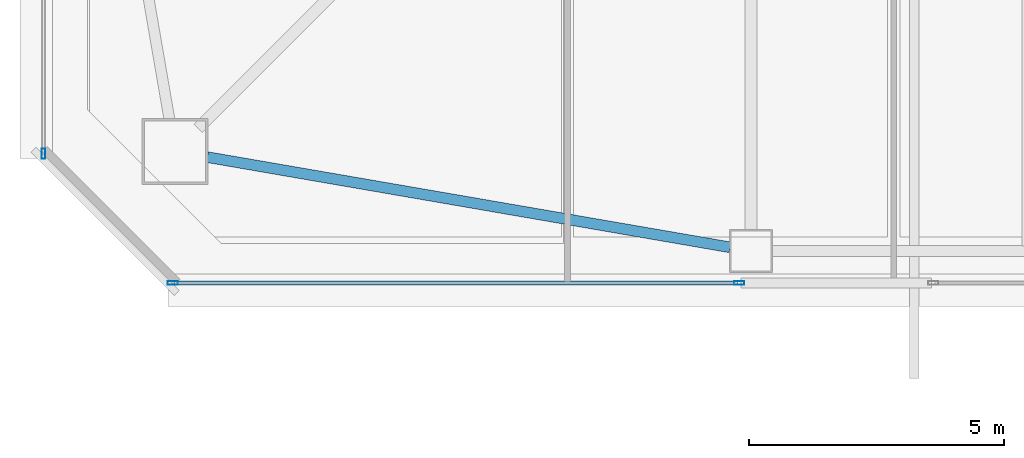
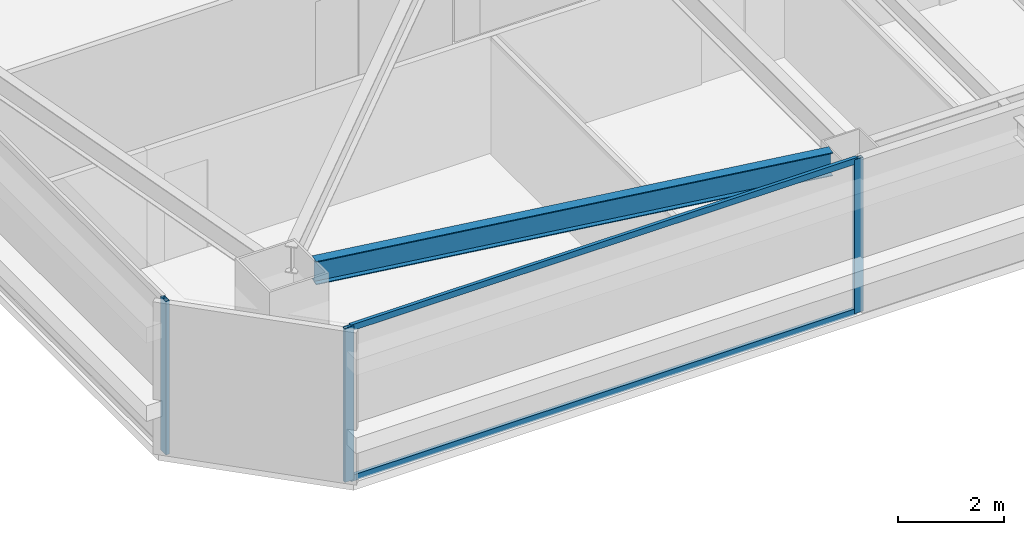
# One storey, part 3 of 42: 5 members, 1 beam, 2 elements without a shape of their own.
"""IFC4 building model written with IfcOpenShell, lengths in metres."""

from ifc_helpers import new_model, si_unit, direction, frame, origin, origin_2d, place, context, subcontext, project, spatial, hollow_rectangle, i_section, extrude, material, material_profile, profile_set, type_object, element, aggregate, save


model = new_model("IFC4")

# Units and contexts
model_context = context("Model", 3, precision=1e-05, world=origin(), true_north=direction((0.0, 1.0)))
body_context = subcontext(model_context, "Body", "Model", "MODEL_VIEW")
ifc_project = project(units=[si_unit("LENGTHUNIT", "METRE"), si_unit("AREAUNIT", "SQUARE_METRE"), si_unit("VOLUMEUNIT", "CUBIC_METRE"), si_unit("PLANEANGLEUNIT", "RADIAN"), si_unit("MASSUNIT", "GRAM", prefix="KILO")], contexts=[model_context])

# Site, building, storey
site_placement = place(None, origin())
site = spatial("IfcSite", under=ifc_project, at=site_placement, CompositionType="ELEMENT")
building_placement = place(site_placement, origin())
building = spatial("IfcBuilding", under=site, at=building_placement, Name="Tashvorn Skyway Center", CompositionType="ELEMENT")
storey_placement = place(building_placement, frame((0.0, 0.0, 121.5)))
storey = spatial("IfcBuildingStorey", under=building, at=storey_placement, Name="L32", CompositionType="ELEMENT", Elevation=121.5)

# Beam
ifc_material_1 = material(Name="Steel ASTM A992 Grade 50", Category="steel")
ifc_material_profile_1 = material_profile(ifc_material_1, i_section(OverallWidth=0.2109375, OverallDepth=0.5390625, WebThickness=0.01171875, FlangeThickness=0.018798828125, at=origin_2d()), Name="W21X73")
ifc_profile_set_1 = profile_set([ifc_material_profile_1], Name="Steel ASTM A992 Grade 50")
beam_type = type_object("IfcBeamType", Name="BM-SPANDREL-W21X73", PredefinedType="SPANDREL", material=ifc_profile_set_1)
beam_placement = place(storey_placement, frame((25.935546875, 15.1904296875, 3.1005859375), z_axis=(0.985432458462, -0.170067250846, 0.0), x_axis=(0.170067250846, 0.985432458462, 0.0)))
element("IfcBeam", 1, at=beam_placement, inside=storey, type_object=beam_type, Name="Tower 1 L32 Spandrel Beam 01", PredefinedType="SPANDREL", context=body_context, shape_type="SweptSolid", body=[
    extrude(i_section(OverallWidth=0.2109375, OverallDepth=0.5390625, WebThickness=0.01171875, FlangeThickness=0.018798828125, at=origin_2d()), origin(), (0.0, 0.0, 1.0), 10.402099609375),
])

# Curtain wall, members
ifc_material_2 = material(Name="Thermally broken bronze-anodized aluminium 6063-T6", Category="aluminium")
curtain_wall_type = type_object("IfcCurtainWallType", Name="CW-CW-Z3", PredefinedType="NOTDEFINED", material=ifc_material_2)
curtain_wall_1_placement = place(storey_placement, origin())
curtain_wall_1 = element("IfcCurtainWall", 2, at=curtain_wall_1_placement, inside=storey, type_object=curtain_wall_type, Name="Tower 1 L32 South Unitised Curtain Wall Glazing Group 3", PredefinedType="NOTDEFINED")
ifc_material_profile_2 = material_profile(ifc_material_2, hollow_rectangle(XDim=0.074951171875, YDim=0.199951171875, WallThickness=0.00439453125, at=origin_2d()), Name="ALU-MULL-75x200")
ifc_profile_set_2 = profile_set([ifc_material_profile_2], Name="Thermally broken bronze-anodized aluminium 6063-T6")
member_type_1 = type_object("IfcMemberType", Name="CWM-CW-Z3", PredefinedType="MULLION", material=ifc_profile_set_2)
member_1_placement = place(storey_placement, frame((36.369140625, 12.719970703125, 0.0), z_axis=(0.0, 0.0, 1.0), x_axis=(0.0, -1.0, 0.0)))
member_1 = element("IfcMember", 3, at=member_1_placement, type_object=member_type_1, Name="CW-Z3 mullion 1", PredefinedType="MULLION", context=body_context, shape_type="SweptSolid", body=[
    extrude(hollow_rectangle(XDim=0.074951171875, YDim=0.199951171875, WallThickness=0.00439453125, at=origin_2d()), origin(), (0.0, 0.0, 1.0), 3.550048828125),
])
member_2_placement = place(storey_placement, frame((25.257568359375, 12.719970703125, 0.0), z_axis=(0.0, 0.0, 1.0), x_axis=(0.0, -1.0, 0.0)))
member_2 = element("IfcMember", 4, at=member_2_placement, type_object=member_type_1, Name="CW-Z3 mullion 2", PredefinedType="MULLION", context=body_context, shape_type="SweptSolid", body=[
    extrude(hollow_rectangle(XDim=0.074951171875, YDim=0.199951171875, WallThickness=0.00439453125, at=origin_2d()), origin(), (0.0, 0.0, 1.0), 3.550048828125),
])

# Curtain wall, member
curtain_wall_2_placement = place(storey_placement, origin())
curtain_wall_2 = element("IfcCurtainWall", 5, at=curtain_wall_2_placement, inside=storey, type_object=curtain_wall_type, Name="Tower 1 L32 West Unitised Curtain Wall Glazing Group 1", PredefinedType="NOTDEFINED")
member_3_placement = place(storey_placement, frame((22.719970703125, 15.257568359375, 0.0), z_axis=(0.0, 0.0, 1.0), x_axis=(-1.0, 0.0, 0.0)))
member_3 = element("IfcMember", 6, at=member_3_placement, type_object=member_type_1, Name="CW-Z3 mullion 1", PredefinedType="MULLION", context=body_context, shape_type="SweptSolid", body=[
    extrude(hollow_rectangle(XDim=0.074951171875, YDim=0.199951171875, WallThickness=0.00439453125, at=origin_2d()), origin(), (0.0, 0.0, 1.0), 3.550048828125),
])
aggregate(curtain_wall_2, [member_3])

# Member
ifc_material_profile_3 = material_profile(ifc_material_2, hollow_rectangle(XDim=0.074951171875, YDim=0.139892578125, WallThickness=0.004150390625, at=origin_2d()), Name="ALU-TRAN-75x140")
ifc_profile_set_3 = profile_set([ifc_material_profile_3], Name="Thermally broken bronze-anodized aluminium 6063-T6")
member_type_2 = type_object("IfcMemberType", Name="CWT-CW-Z3", PredefinedType="USERDEFINED", material=ifc_profile_set_3)
member_4_placement = place(storey_placement, frame((36.331787109375, 12.719970703125, 0.03759765625), z_axis=(-1.0, 0.0, 0.0), x_axis=(0.0, -1.0, 0.0)))
member_4 = element("IfcMember", 7, at=member_4_placement, type_object=member_type_2, Name="CW-Z3 transom 1.1", ObjectType="TRANSOM", PredefinedType="USERDEFINED", context=body_context, shape_type="SweptSolid", body=[
    extrude(hollow_rectangle(XDim=0.074951171875, YDim=0.139892578125, WallThickness=0.004150390625, at=origin_2d()), origin(), (0.0, 0.0, 1.0), 11.036865234375),
])

member_5_placement = place(storey_placement, frame((36.331787109375, 12.719970703125, 3.512451171875), z_axis=(-1.0, 0.0, 0.0), x_axis=(0.0, -1.0, 0.0)))
member_5 = element("IfcMember", 8, at=member_5_placement, type_object=member_type_2, Name="CW-Z3 transom 1.2", ObjectType="TRANSOM", PredefinedType="USERDEFINED", context=body_context, shape_type="SweptSolid", body=[
    extrude(hollow_rectangle(XDim=0.074951171875, YDim=0.139892578125, WallThickness=0.004150390625, at=origin_2d()), origin(), (0.0, 0.0, 1.0), 11.036865234375),
])

aggregate(curtain_wall_1, [member_1, member_2, member_4, member_5])

save(model, "model.ifc")
